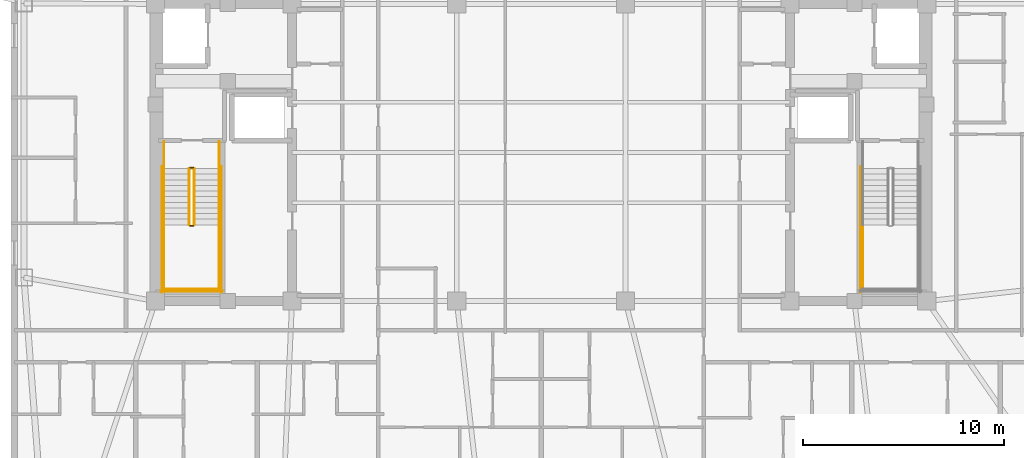
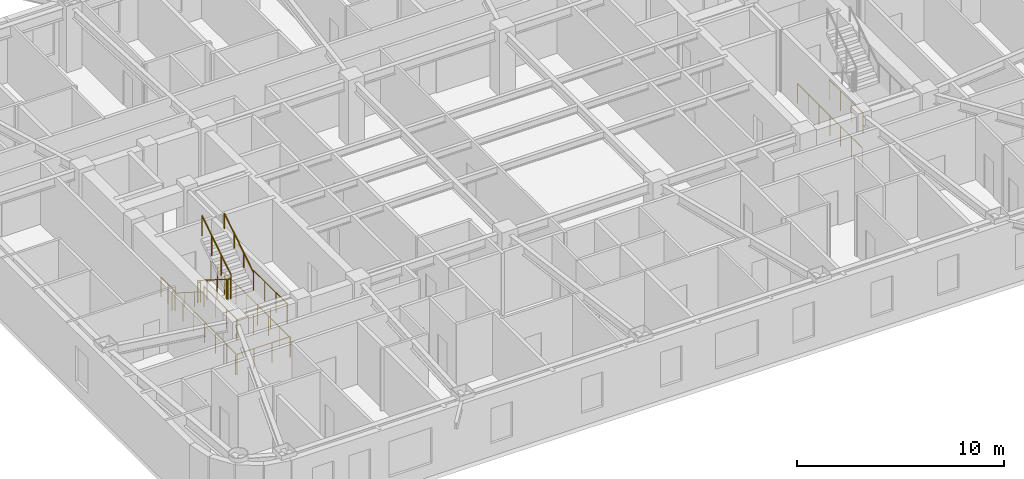
# One storey, part 10 of 11: 16 railings.
"""IFC4 building model written with IfcOpenShell, lengths in metres."""

import ifcopenshell
import ifcopenshell.guid

model = None  # the IFC model being written
_history = None  # IfcOwnerHistory: only IFC2X3 demands one
_inside = {}  # id of a spatial element -> (the spatial element, [elements in it])
_under = {}  # id of a project, library or spatial element -> (it, [spatial elements below it])
_declared = {}  # id of a project -> (the project, [libraries it declares])
_typed = {}  # id of a type object -> (the type object, [elements of that type])
_made_of = {}  # id of a material, layer set ... -> (it, [elements and type objects made of it])


def new_model(schema):
    """Start an empty IFC model of exactly this schema.

    Asked for "IFC4X3", IfcOpenShell would pick the latest addendum, in which some entities
    have other attributes; the version numbers below select the first issue.
    IFC2X3 requires an IfcOwnerHistory on every rooted entity: one is made here for all.
    """
    global model, _history
    if schema == "IFC4X3":
        model = ifcopenshell.file(schema_version=(4, 3, 0, 0))
    else:
        model = ifcopenshell.file(schema=schema)
    _inside.clear()
    _under.clear()
    _declared.clear()
    _typed.clear()
    _made_of.clear()
    _history = None
    if model.schema == "IFC2X3":
        org = make("IfcOrganization", Name="unknown")
        user = make(
            "IfcPersonAndOrganization",
            ThePerson=make("IfcPerson", FamilyName="unknown"),
            TheOrganization=org,
        )
        app = make(
            "IfcApplication",
            ApplicationDeveloper=org,
            Version="unknown",
            ApplicationFullName="unknown",
            ApplicationIdentifier="unknown",
        )
        _history = make(
            "IfcOwnerHistory",
            OwningUser=user,
            OwningApplication=app,
            ChangeAction="ADDED",
            CreationDate=0,
        )
    return model


def make(cls, **values):
    """One entity of the class cls with the attributes given. An attribute that is None is left unset."""
    return model.create_entity(
        cls, **{name: value for name, value in values.items() if value is not None}
    )


def rooted(cls, **values):
    """An entity with a GlobalId (a new one), such as an element, a storey or a relation."""
    return make(cls, GlobalId=ifcopenshell.guid.new(), OwnerHistory=_history, **values)


def si_unit(unit_type, name, prefix=None):
    """IfcSIUnit, for example si_unit("LENGTHUNIT", "METRE", prefix="MILLI")."""
    return make("IfcSIUnit", UnitType=unit_type, Prefix=prefix, Name=name)


def assignment(units):
    """IfcUnitAssignment: the units of a project."""
    return None if units is None else make("IfcUnitAssignment", Units=units)


def point(xyz):
    """IfcCartesianPoint."""
    return None if xyz is None else make("IfcCartesianPoint", Coordinates=xyz)


def direction(xyz):
    """IfcDirection."""
    return None if xyz is None else make("IfcDirection", DirectionRatios=xyz)


def frame(location, z_axis=None, x_axis=None):
    """IfcAxis2Placement3D, a coordinate frame: its origin and axes. An axis left out is left unset."""
    return make(
        "IfcAxis2Placement3D",
        Location=point(location),
        Axis=direction(z_axis),
        RefDirection=direction(x_axis),
    )


def frame_2d(location, x_axis=None):
    """IfcAxis2Placement2D, a coordinate frame in the plane: its origin and x axis."""
    return make(
        "IfcAxis2Placement2D", Location=point(location), RefDirection=direction(x_axis)
    )


def origin():
    """The frame at (0, 0, 0) with its axes left unset."""
    return frame((0.0, 0.0, 0.0))


def origin_2d():
    """The frame at (0, 0) in the plane with its x axis left unset."""
    return frame_2d((0.0, 0.0))


def place(relative_to, where):
    """IfcLocalPlacement: puts the frame where relative to a parent placement (None: the world)."""
    return make(
        "IfcLocalPlacement", PlacementRelTo=relative_to, RelativePlacement=where
    )


def context(
    kind, dimensions, precision=None, world=None, true_north=None, identifier=None
):
    """IfcGeometricRepresentationContext, for example the 3D "Model" context."""
    return make(
        "IfcGeometricRepresentationContext",
        ContextIdentifier=identifier,
        ContextType=kind,
        CoordinateSpaceDimension=dimensions,
        Precision=precision,
        WorldCoordinateSystem=world,
        TrueNorth=true_north,
    )


def subcontext(parent, identifier, kind, view, scale=None):
    """IfcGeometricRepresentationSubContext, for example "Body" below "Model"."""
    return make(
        "IfcGeometricRepresentationSubContext",
        ContextIdentifier=identifier,
        ContextType=kind,
        ParentContext=parent,
        TargetScale=scale,
        TargetView=view,
    )


def project(units=None, contexts=None):
    """IfcProject with its units and contexts."""
    return rooted(
        "IfcProject",
        Name="project",
        RepresentationContexts=contexts,
        UnitsInContext=assignment(units),
    )


def spatial(cls, under=None, at=None, **own):
    """A site, building, storey or space (cls), placed at a placement, below another one or the project."""
    s = rooted(cls, ObjectPlacement=at, **own)
    if under is not None:
        _under.setdefault(under.id(), (under, []))[1].append(s)
    return s


def profile(cls, at=None, kind="AREA", **sizes):
    """A parametric profile (cls). Its sizes go by their IFC names, for example OverallWidth=200.0."""
    return make(cls, ProfileType=kind, Position=at, **sizes)


def circle(**sizes):
    """IfcCircleProfileDef."""
    return profile("IfcCircleProfileDef", **sizes)


def extrude(swept, where, along, depth):
    """IfcExtrudedAreaSolid: the profile swept, set in the frame where, extruded along a direction by depth."""
    return make(
        "IfcExtrudedAreaSolid",
        SweptArea=swept,
        Position=where,
        ExtrudedDirection=direction(along),
        Depth=depth,
    )


def shape(context_of_items, identifier, shape_type, items):
    """IfcShapeRepresentation: the items that make up one representation, for example the "Body"."""
    return make(
        "IfcShapeRepresentation",
        ContextOfItems=context_of_items,
        RepresentationIdentifier=identifier,
        RepresentationType=shape_type,
        Items=items,
    )


def material(Name=None, Category=None):
    """IfcMaterial."""
    return make("IfcMaterial", Name=Name, Category=Category)


def made_of(thing, what):
    """Note that an element or type object is made of a material, layer set ...; save() writes the relation."""
    if what is not None:
        _made_of.setdefault(what.id(), (what, []))[1].append(thing)
    return thing


def type_object(cls, material=None, **own):
    """A type object (cls), such as IfcWallType, which elements share."""
    return made_of(rooted(cls, **own), material)


def element(
    cls,
    number,
    at=None,
    inside=None,
    cuts=None,
    type_object=None,
    material=None,
    context=None,
    identifier="Body",
    shape_type=None,
    held_by="IfcProductDefinitionShape",
    body=None,
    shapes=None,
    **own,
):
    """One element of the class cls, such as IfcWall. Its Tag is "e" and its number.

    at: its placement. inside: the storey or other place that contains it. cuts: it is an
    opening in that element (IfcRelVoidsElement). A single representation is given by context,
    identifier, shape_type and body (its items); several are given by shapes. held_by: the class
    of the entity that holds the representations. save() writes the other relations.
    """
    e = rooted(cls, Tag="e%d" % number, ObjectPlacement=at, **own)
    if body is not None:
        shapes = [shape(context, identifier, shape_type, body)]
    if shapes is not None:
        e.Representation = make(held_by, Representations=shapes)
    if inside is not None:
        _inside.setdefault(inside.id(), (inside, []))[1].append(e)
    if cuts is not None:
        rooted(
            "IfcRelVoidsElement", RelatingBuildingElement=cuts, RelatedOpeningElement=e
        )
    if type_object is not None:
        _typed.setdefault(type_object.id(), (type_object, []))[1].append(e)
    return made_of(e, material)


def aggregate(whole, parts):
    """IfcRelAggregates: a whole, such as a stair, and the parts it consists of."""
    return rooted("IfcRelAggregates", RelatingObject=whole, RelatedObjects=parts)


def save(model, path):
    """Write the relations noted so far, then the file.

    IfcRelAggregates (storeys below a building ...), IfcRelContainedInSpatialStructure (elements
    in a storey), IfcRelDefinesByType, IfcRelAssociatesMaterial and IfcRelDeclares: one each for
    every whole, place, type object, material and project.
    """
    for whole, parts in _under.values():
        aggregate(whole, parts)
    for where, things in _inside.values():
        rooted(
            "IfcRelContainedInSpatialStructure",
            RelatedElements=things,
            RelatingStructure=where,
        )
    for kind, things in _typed.values():
        rooted("IfcRelDefinesByType", RelatedObjects=things, RelatingType=kind)
    for what, things in _made_of.values():
        rooted("IfcRelAssociatesMaterial", RelatedObjects=things, RelatingMaterial=what)
    for by, libraries in _declared.values():
        rooted("IfcRelDeclares", RelatingContext=by, RelatedDefinitions=libraries)
    model.write(path)


model = new_model("IFC4")

# Units and contexts
model_context = context("Model", 3, precision=1e-05, world=origin(), true_north=direction((0.0, 1.0)))
body_context = subcontext(model_context, "Body", "Model", "MODEL_VIEW")
ifc_project = project(units=[si_unit("LENGTHUNIT", "METRE"), si_unit("AREAUNIT", "SQUARE_METRE"), si_unit("VOLUMEUNIT", "CUBIC_METRE"), si_unit("PLANEANGLEUNIT", "RADIAN"), si_unit("MASSUNIT", "GRAM", prefix="KILO")], contexts=[model_context])

# Site, building, storey
site_placement = place(None, origin())
site = spatial("IfcSite", under=ifc_project, at=site_placement, CompositionType="ELEMENT")
building_placement = place(site_placement, origin())
building = spatial("IfcBuilding", under=site, at=building_placement, Name="Voryun Gate Residences", CompositionType="ELEMENT")
storey_placement = place(building_placement, frame((0.0, 0.0, 227.5)))
storey = spatial("IfcBuildingStorey", under=building, at=storey_placement, Name="L56", CompositionType="ELEMENT", Elevation=227.5)

# Railings
ifc_material_1 = material(Name="Painted steel", Category="steel")
railing_type_1 = type_object("IfcRailingType", Name="RAIL_STAIR_GUARD_1200", PredefinedType="GUARDRAIL", material=ifc_material_1)
railing_1_placement = place(storey_placement, frame((-17.52490234375, -0.800048828125, 0.17724609375)))
element("IfcRailing", 1, at=railing_1_placement, inside=storey, type_object=railing_type_1, Name="L56 ST-W1 stair guard 1", PredefinedType="GUARDRAIL", context=body_context, shape_type="SweptSolid", body=[
    extrude(circle(Radius=0.02392578125, at=origin_2d()), frame((0.0, 0.0, 1.17578125), z_axis=(0.0, -0.844908973607, 0.534910110503), x_axis=(1.0, 0.0, 0.0)), (0.0, 0.0, 1.0), 3.31396484375),
    extrude(circle(Radius=0.02099609375, at=origin_2d()), origin(), (0.0, 0.0, 1.0), 1.15185546875),
    extrude(circle(Radius=0.02099609375, at=origin_2d()), frame((0.0, -0.933349609375, 0.5908203125)), (0.0, 0.0, 1.0), 1.15185546875),
    extrude(circle(Radius=0.02099609375, at=origin_2d()), frame((0.0, -1.86669921875, 1.181884765625)), (0.0, 0.0, 1.0), 1.15185546875),
    extrude(circle(Radius=0.02099609375, at=origin_2d()), frame((0.0, -2.800048828125, 1.772705078125)), (0.0, 0.0, 1.0), 1.15185546875),
])
railing_2_placement = place(storey_placement, frame((-17.47509765625, -3.64990234375, 1.949951171875)))
element("IfcRailing", 2, at=railing_2_placement, inside=storey, type_object=railing_type_1, Name="L56 ST-W1 stair guard 2", PredefinedType="GUARDRAIL", context=body_context, shape_type="SweptSolid", body=[
    extrude(circle(Radius=0.02392578125, at=origin_2d()), frame((0.0, 0.0, 1.17578125), z_axis=(1.0, 0.0, 0.0), x_axis=(0.0, 1.0, 0.0)), (0.0, 0.0, 1.0), 0.150146484375),
    extrude(circle(Radius=0.02099609375, at=origin_2d()), origin(), (0.0, 0.0, 1.0), 1.15185546875),
    extrude(circle(Radius=0.02099609375, at=origin_2d()), frame((0.150146484375, 0.0, 0.0)), (0.0, 0.0, 1.0), 1.15185546875),
])
for number, where, name in (
    (3, (-18.77490234375, -3.60009765625, 1.949951171875), "L56 ST-W1 stair guard 3"),
    (4, (-16.02490234375, -3.60009765625, 1.949951171875), "L56 ST-W1 stair guard 4"),
):
    element("IfcRailing", number, at=place(storey_placement, frame(where)), inside=storey, type_object=railing_type_1, Name=name, PredefinedType="GUARDRAIL", context=body_context, shape_type="SweptSolid", body=[
        extrude(circle(Radius=0.02392578125, at=origin_2d()), frame((0.0, 0.0, 1.17578125), z_axis=(0.0, -1.0, 0.0), x_axis=(1.0, 0.0, 0.0)), (0.0, 0.0, 1.0), 3.25),
        extrude(circle(Radius=0.02099609375, at=origin_2d()), origin(), (0.0, 0.0, 1.0), 1.15185546875),
        extrude(circle(Radius=0.02099609375, at=origin_2d()), frame((0.0, -1.083251953125, 0.0)), (0.0, 0.0, 1.0), 1.15185546875),
        extrude(circle(Radius=0.02099609375, at=origin_2d()), frame((0.0, -2.166748046875, 0.0)), (0.0, 0.0, 1.0), 1.15185546875),
        extrude(circle(Radius=0.02099609375, at=origin_2d()), frame((0.0, -3.25, 0.0)), (0.0, 0.0, 1.0), 1.15185546875),
    ])
railing_3_placement = place(storey_placement, frame((-18.824951171875, -6.800048828125, 1.949951171875)))
element("IfcRailing", 5, at=railing_3_placement, inside=storey, type_object=railing_type_1, Name="L56 ST-W1 stair guard 5", PredefinedType="GUARDRAIL", context=body_context, shape_type="SweptSolid", body=[
    extrude(circle(Radius=0.02392578125, at=origin_2d()), frame((0.0, 0.0, 1.17578125), z_axis=(1.0, 0.0, 0.0), x_axis=(0.0, 1.0, 0.0)), (0.0, 0.0, 1.0), 2.849853515625),
    extrude(circle(Radius=0.02099609375, at=origin_2d()), origin(), (0.0, 0.0, 1.0), 1.15185546875),
    extrude(circle(Radius=0.02099609375, at=origin_2d()), frame((0.949951171875, 0.0, 0.0)), (0.0, 0.0, 1.0), 1.15185546875),
    extrude(circle(Radius=0.02099609375, at=origin_2d()), frame((1.89990234375, 0.0, 0.0)), (0.0, 0.0, 1.0), 1.15185546875),
    extrude(circle(Radius=0.02099609375, at=origin_2d()), frame((2.849853515625, 0.0, 0.0)), (0.0, 0.0, 1.0), 1.15185546875),
])
railing_4_placement = place(storey_placement, frame((-17.27490234375, -3.60009765625, 2.127197265625)))
element("IfcRailing", 6, at=railing_4_placement, inside=storey, type_object=railing_type_1, Name="L56 ST-W1 stair guard 6", PredefinedType="GUARDRAIL", context=body_context, shape_type="SweptSolid", body=[
    extrude(circle(Radius=0.02392578125, at=origin_2d()), frame((0.0, 0.0, 1.17578125), z_axis=(0.0, 0.844908973607, 0.534910110503), x_axis=(-1.0, 0.0, 0.0)), (0.0, 0.0, 1.0), 3.31396484375),
    extrude(circle(Radius=0.02099609375, at=origin_2d()), origin(), (0.0, 0.0, 1.0), 1.15185546875),
    extrude(circle(Radius=0.02099609375, at=origin_2d()), frame((0.0, 0.933349609375, 0.5908203125)), (0.0, 0.0, 1.0), 1.15185546875),
    extrude(circle(Radius=0.02099609375, at=origin_2d()), frame((0.0, 1.86669921875, 1.181884765625)), (0.0, 0.0, 1.0), 1.15185546875),
    extrude(circle(Radius=0.02099609375, at=origin_2d()), frame((0.0, 2.800048828125, 1.772705078125)), (0.0, 0.0, 1.0), 1.15185546875),
])
railing_5_placement = place(storey_placement, frame((-17.47509765625, -0.75, 0.0)))
element("IfcRailing", 7, at=railing_5_placement, inside=storey, type_object=railing_type_1, Name="L56 ST-W1 stair guard 7", PredefinedType="GUARDRAIL", context=body_context, shape_type="SweptSolid", body=[
    extrude(circle(Radius=0.02392578125, at=origin_2d()), frame((0.0, 0.0, 1.17578125), z_axis=(1.0, 0.0, 0.0), x_axis=(0.0, 1.0, 0.0)), (0.0, 0.0, 1.0), 0.150146484375),
    extrude(circle(Radius=0.02099609375, at=origin_2d()), origin(), (0.0, 0.0, 1.0), 1.15185546875),
    extrude(circle(Radius=0.02099609375, at=origin_2d()), frame((0.150146484375, 0.0, 0.0)), (0.0, 0.0, 1.0), 1.15185546875),
])
for number, where, name in (
    (8, (-18.77490234375, 0.550048828125, 0.0), "L56 ST-W1 stair guard 8"),
    (9, (-16.02490234375, 0.550048828125, 0.0), "L56 ST-W1 stair guard 9"),
):
    element("IfcRailing", number, at=place(storey_placement, frame(where)), inside=storey, type_object=railing_type_1, Name=name, PredefinedType="GUARDRAIL", context=body_context, shape_type="SweptSolid", body=[
        extrude(circle(Radius=0.02392578125, at=origin_2d()), frame((0.0, 0.0, 1.17578125), z_axis=(0.0, -1.0, 0.0), x_axis=(1.0, 0.0, 0.0)), (0.0, 0.0, 1.0), 1.35009765625),
        extrude(circle(Radius=0.02099609375, at=origin_2d()), origin(), (0.0, 0.0, 1.0), 1.15185546875),
        extrude(circle(Radius=0.02099609375, at=origin_2d()), frame((0.0, -0.675048828125, 0.0)), (0.0, 0.0, 1.0), 1.15185546875),
        extrude(circle(Radius=0.02099609375, at=origin_2d()), frame((0.0, -1.35009765625, 0.0)), (0.0, 0.0, 1.0), 1.15185546875),
    ])
for number, where, name in (
    (10, (-18.875, -0.699951171875, 0.0), "L56 ST-W1 stair guard 10"),
    (11, (-15.925048828125, -0.699951171875, 0.0), "L56 ST-W1 stair guard 11"),
):
    element("IfcRailing", number, at=place(storey_placement, frame(where)), inside=storey, type_object=railing_type_1, Name=name, PredefinedType="GUARDRAIL", context=body_context, shape_type="SweptSolid", body=[
        extrude(circle(Radius=0.02392578125, at=origin_2d()), frame((0.0, 0.0, 1.17578125), z_axis=(0.0, -1.0, 0.0), x_axis=(1.0, 0.0, 0.0)), (0.0, 0.0, 1.0), 6.25),
        extrude(circle(Radius=0.02099609375, at=origin_2d()), origin(), (0.0, 0.0, 1.0), 1.15185546875),
        extrude(circle(Radius=0.02099609375, at=origin_2d()), frame((0.0, -1.041748046875, 0.0)), (0.0, 0.0, 1.0), 1.15185546875),
        extrude(circle(Radius=0.02099609375, at=origin_2d()), frame((0.0, -2.083251953125, 0.0)), (0.0, 0.0, 1.0), 1.15185546875),
        extrude(circle(Radius=0.02099609375, at=origin_2d()), frame((0.0, -3.125, 0.0)), (0.0, 0.0, 1.0), 1.15185546875),
        extrude(circle(Radius=0.02099609375, at=origin_2d()), frame((0.0, -4.166748046875, 0.0)), (0.0, 0.0, 1.0), 1.15185546875),
        extrude(circle(Radius=0.02099609375, at=origin_2d()), frame((0.0, -5.208251953125, 0.0)), (0.0, 0.0, 1.0), 1.15185546875),
        extrude(circle(Radius=0.02099609375, at=origin_2d()), frame((0.0, -6.25, 0.0)), (0.0, 0.0, 1.0), 1.15185546875),
    ])
railing_6_placement = place(storey_placement, frame((-18.925048828125, -6.89990234375, 0.0)))
element("IfcRailing", 12, at=railing_6_placement, inside=storey, type_object=railing_type_1, Name="L56 ST-W1 stair guard 12", PredefinedType="GUARDRAIL", context=body_context, shape_type="SweptSolid", body=[
    extrude(circle(Radius=0.02392578125, at=origin_2d()), frame((0.0, 0.0, 1.17578125), z_axis=(1.0, 0.0, 0.0), x_axis=(0.0, 1.0, 0.0)), (0.0, 0.0, 1.0), 3.050048828125),
    extrude(circle(Radius=0.02099609375, at=origin_2d()), origin(), (0.0, 0.0, 1.0), 1.15185546875),
    extrude(circle(Radius=0.02099609375, at=origin_2d()), frame((1.0166015625, 0.0, 0.0)), (0.0, 0.0, 1.0), 1.15185546875),
    extrude(circle(Radius=0.02099609375, at=origin_2d()), frame((2.033447265625, 0.0, 0.0)), (0.0, 0.0, 1.0), 1.15185546875),
    extrude(circle(Radius=0.02099609375, at=origin_2d()), frame((3.050048828125, 0.0, 0.0)), (0.0, 0.0, 1.0), 1.15185546875),
])
railing_7_placement = place(storey_placement, frame((16.02490234375, -3.60009765625, 1.949951171875)))
element("IfcRailing", 13, at=railing_7_placement, inside=storey, type_object=railing_type_1, Name="L56 ST-E1 stair guard 3", PredefinedType="GUARDRAIL", context=body_context, shape_type="SweptSolid", body=[
    extrude(circle(Radius=0.02392578125, at=origin_2d()), frame((0.0, 0.0, 1.17578125), z_axis=(0.0, -1.0, 0.0), x_axis=(1.0, 0.0, 0.0)), (0.0, 0.0, 1.0), 3.25),
    extrude(circle(Radius=0.02099609375, at=origin_2d()), origin(), (0.0, 0.0, 1.0), 1.15185546875),
    extrude(circle(Radius=0.02099609375, at=origin_2d()), frame((0.0, -1.083251953125, 0.0)), (0.0, 0.0, 1.0), 1.15185546875),
    extrude(circle(Radius=0.02099609375, at=origin_2d()), frame((0.0, -2.166748046875, 0.0)), (0.0, 0.0, 1.0), 1.15185546875),
    extrude(circle(Radius=0.02099609375, at=origin_2d()), frame((0.0, -3.25, 0.0)), (0.0, 0.0, 1.0), 1.15185546875),
])
railing_8_placement = place(storey_placement, frame((15.925048828125, -0.699951171875, 0.0)))
element("IfcRailing", 14, at=railing_8_placement, inside=storey, type_object=railing_type_1, Name="L56 ST-E1 stair guard 10", PredefinedType="GUARDRAIL", context=body_context, shape_type="SweptSolid", body=[
    extrude(circle(Radius=0.02392578125, at=origin_2d()), frame((0.0, 0.0, 1.17578125), z_axis=(0.0, -1.0, 0.0), x_axis=(1.0, 0.0, 0.0)), (0.0, 0.0, 1.0), 6.25),
    extrude(circle(Radius=0.02099609375, at=origin_2d()), origin(), (0.0, 0.0, 1.0), 1.15185546875),
    extrude(circle(Radius=0.02099609375, at=origin_2d()), frame((0.0, -1.041748046875, 0.0)), (0.0, 0.0, 1.0), 1.15185546875),
    extrude(circle(Radius=0.02099609375, at=origin_2d()), frame((0.0, -2.083251953125, 0.0)), (0.0, 0.0, 1.0), 1.15185546875),
    extrude(circle(Radius=0.02099609375, at=origin_2d()), frame((0.0, -3.125, 0.0)), (0.0, 0.0, 1.0), 1.15185546875),
    extrude(circle(Radius=0.02099609375, at=origin_2d()), frame((0.0, -4.166748046875, 0.0)), (0.0, 0.0, 1.0), 1.15185546875),
    extrude(circle(Radius=0.02099609375, at=origin_2d()), frame((0.0, -5.208251953125, 0.0)), (0.0, 0.0, 1.0), 1.15185546875),
    extrude(circle(Radius=0.02099609375, at=origin_2d()), frame((0.0, -6.25, 0.0)), (0.0, 0.0, 1.0), 1.15185546875),
])
ifc_material_2 = material(Name="Painted steel", Category="steel")
railing_type_2 = type_object("IfcRailingType", Name="RAIL_STAIR_HANDRAIL_900", PredefinedType="HANDRAIL", material=ifc_material_2)
railing_9_placement = place(storey_placement, frame((-18.77490234375, -0.800048828125, 0.17724609375)))
element("IfcRailing", 15, at=railing_9_placement, inside=storey, type_object=railing_type_2, Name="L56 ST-W1 stair handrail 1", PredefinedType="HANDRAIL", context=body_context, shape_type="SweptSolid", body=[
    extrude(circle(Radius=0.02392578125, at=origin_2d()), frame((0.0, 0.0, 0.8759765625), z_axis=(0.0, -0.844908973607, 0.534910110503), x_axis=(1.0, 0.0, 0.0)), (0.0, 0.0, 1.0), 3.31396484375),
    extrude(circle(Radius=0.02099609375, at=origin_2d()), origin(), (0.0, 0.0, 1.0), 0.851806640625),
    extrude(circle(Radius=0.02099609375, at=origin_2d()), frame((0.0, -0.933349609375, 0.5908203125)), (0.0, 0.0, 1.0), 0.851806640625),
    extrude(circle(Radius=0.02099609375, at=origin_2d()), frame((0.0, -1.86669921875, 1.181884765625)), (0.0, 0.0, 1.0), 0.851806640625),
    extrude(circle(Radius=0.02099609375, at=origin_2d()), frame((0.0, -2.800048828125, 1.772705078125)), (0.0, 0.0, 1.0), 0.851806640625),
])
railing_10_placement = place(storey_placement, frame((-16.02490234375, -3.60009765625, 2.127197265625)))
element("IfcRailing", 16, at=railing_10_placement, inside=storey, type_object=railing_type_2, Name="L56 ST-W1 stair handrail 2", PredefinedType="HANDRAIL", context=body_context, shape_type="SweptSolid", body=[
    extrude(circle(Radius=0.02392578125, at=origin_2d()), frame((0.0, 0.0, 0.8759765625), z_axis=(0.0, 0.844908973607, 0.534910110503), x_axis=(-1.0, 0.0, 0.0)), (0.0, 0.0, 1.0), 3.31396484375),
    extrude(circle(Radius=0.02099609375, at=origin_2d()), origin(), (0.0, 0.0, 1.0), 0.851806640625),
    extrude(circle(Radius=0.02099609375, at=origin_2d()), frame((0.0, 0.933349609375, 0.5908203125)), (0.0, 0.0, 1.0), 0.851806640625),
    extrude(circle(Radius=0.02099609375, at=origin_2d()), frame((0.0, 1.86669921875, 1.181884765625)), (0.0, 0.0, 1.0), 0.851806640625),
    extrude(circle(Radius=0.02099609375, at=origin_2d()), frame((0.0, 2.800048828125, 1.772705078125)), (0.0, 0.0, 1.0), 0.851806640625),
])

save(model, "model.ifc")
